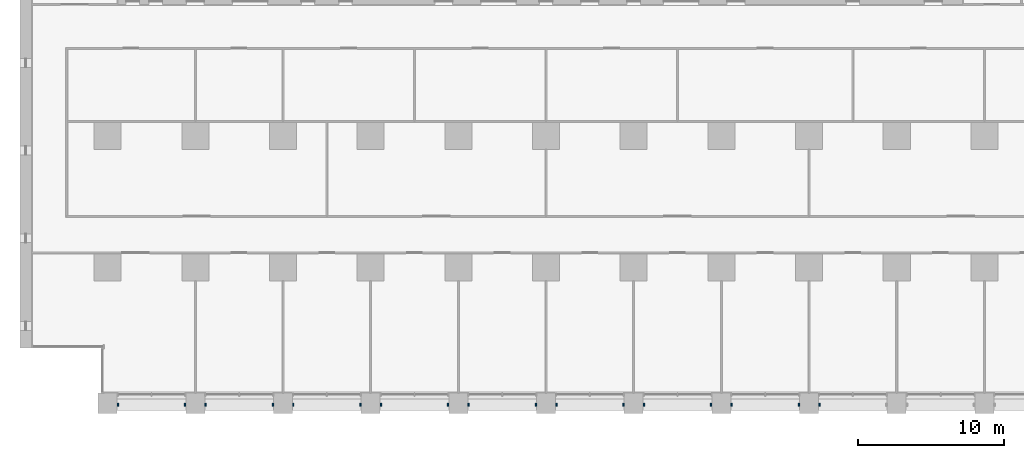
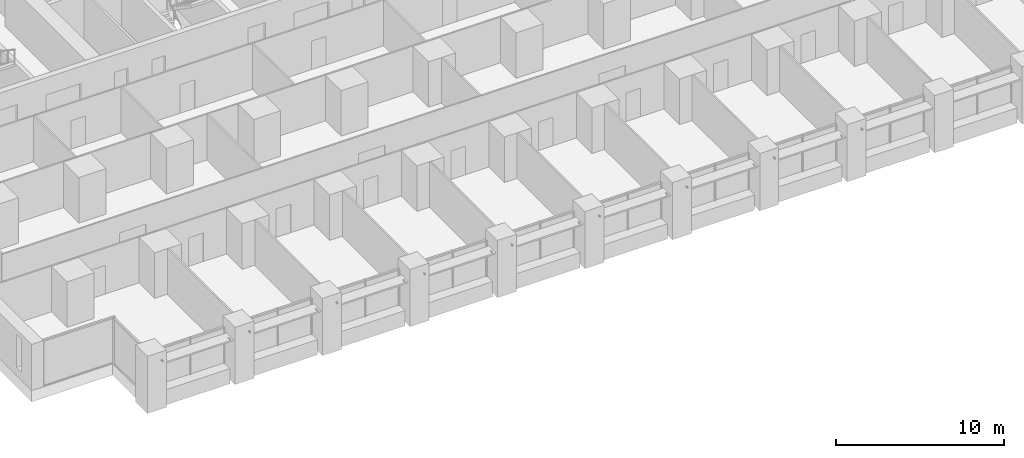
# One storey, part 15 of 18: 17 discrete accessories.
"""IFC4 building model written with IfcOpenShell, lengths in metres."""

from ifc_helpers import new_model, si_unit, direction, frame, origin, origin_2d, place, context, subcontext, project, spatial, rectangle, extrude, element, save


model = new_model("IFC4")

# Units and contexts
model_context = context("Model", 3, precision=1e-05, world=origin(), true_north=direction((0.0, 1.0)))
body_context = subcontext(model_context, "Body", "Model", "MODEL_VIEW")
ifc_project = project(units=[si_unit("LENGTHUNIT", "METRE"), si_unit("AREAUNIT", "SQUARE_METRE"), si_unit("VOLUMEUNIT", "CUBIC_METRE"), si_unit("PLANEANGLEUNIT", "RADIAN"), si_unit("MASSUNIT", "GRAM", prefix="KILO")], contexts=[model_context])

# Site, building, storey
site_placement = place(None, origin())
site = spatial("IfcSite", under=ifc_project, at=site_placement, CompositionType="ELEMENT")
building_placement = place(site_placement, origin())
building = spatial("IfcBuilding", under=site, at=building_placement, Name="Calvaro Tower", CompositionType="ELEMENT")
storey_placement = place(building_placement, frame((0.0, 0.0, 22.5)))
storey = spatial("IfcBuildingStorey", under=building, at=storey_placement, Name="L04", CompositionType="ELEMENT", Elevation=22.5)

# Discrete accessories
for number, where, z_axis, x_axis, name in (
    (1, (6.699951171875, 0.60009765625, 2.14990234375), (0.0, 0.0, 1.0), (1.0, 0.0, 0.0), "Brise-soleil bracket"),
    (2, (11.300048828125, 0.60009765625, 2.14990234375), (0.0, 0.0, 1.0), (1.0, 0.0, 0.0), "Brise-soleil bracket"),
    (3, (12.699951171875, 0.60009765625, 2.14990234375), (0.0, 0.0, 1.0), (1.0, 0.0, 0.0), "Brise-soleil bracket"),
    (4, (17.300048828125, 0.60009765625, 2.14990234375), (0.0, 0.0, 1.0), (1.0, 0.0, 0.0), "Brise-soleil bracket"),
    (5, (18.699951171875, 0.60009765625, 2.14990234375), (0.0, 0.0, 1.0), (1.0, 0.0, 0.0), "Brise-soleil bracket"),
    (6, (23.300048828125, 0.60009765625, 2.14990234375), (0.0, 0.0, 1.0), (1.0, 0.0, 0.0), "Brise-soleil bracket"),
    (7, (24.699951171875, 0.60009765625, 2.14990234375), (0.0, 0.0, 1.0), (1.0, 0.0, 0.0), "Brise-soleil bracket"),
    (8, (29.300048828125, 0.60009765625, 2.14990234375), (0.0, 0.0, 1.0), (1.0, 0.0, 0.0), "Brise-soleil bracket"),
    (9, (30.699951171875, 0.60009765625, 2.14990234375), (0.0, 0.0, 1.0), (1.0, 0.0, 0.0), "Brise-soleil bracket"),
    (10, (35.300048828125, 0.60009765625, 2.14990234375), (0.0, 0.0, 1.0), (1.0, 0.0, 0.0), "Brise-soleil bracket"),
    (11, (36.699951171875, 0.60009765625, 2.14990234375), (0.0, 0.0, 1.0), (1.0, 0.0, 0.0), "Brise-soleil bracket"),
    (12, (41.300048828125, 0.60009765625, 2.14990234375), (0.0, 0.0, 1.0), (1.0, 0.0, 0.0), "Brise-soleil bracket"),
    (13, (42.699951171875, 0.60009765625, 2.14990234375), (0.0, 0.0, 1.0), (1.0, 0.0, 0.0), "Brise-soleil bracket"),
    (14, (47.300048828125, 0.60009765625, 2.14990234375), (0.0, 0.0, 1.0), (1.0, 0.0, 0.0), "Brise-soleil bracket"),
    (15, (48.699951171875, 0.60009765625, 2.14990234375), (0.0, 0.0, 1.0), (1.0, 0.0, 0.0), "Brise-soleil bracket"),
    (16, (53.300048828125, 0.60009765625, 2.14990234375), (0.0, 0.0, 1.0), (1.0, 0.0, 0.0), "Brise-soleil bracket"),
    (17, (54.699951171875, 0.60009765625, 2.14990234375), (0.0, 0.0, 1.0), (1.0, 0.0, 0.0), "Brise-soleil bracket"),
):
    element("IfcDiscreteAccessory", number, at=place(storey_placement, frame(where, z_axis=z_axis, x_axis=x_axis)), inside=storey, Name=name, PredefinedType="BRACKET", context=body_context, shape_type="SweptSolid", body=[
        extrude(rectangle(XDim=0.10009765625, YDim=0.199951171875, at=origin_2d()), origin(), (0.0, 0.0, 1.0), 0.10009765625),
    ])

save(model, "model.ifc")
